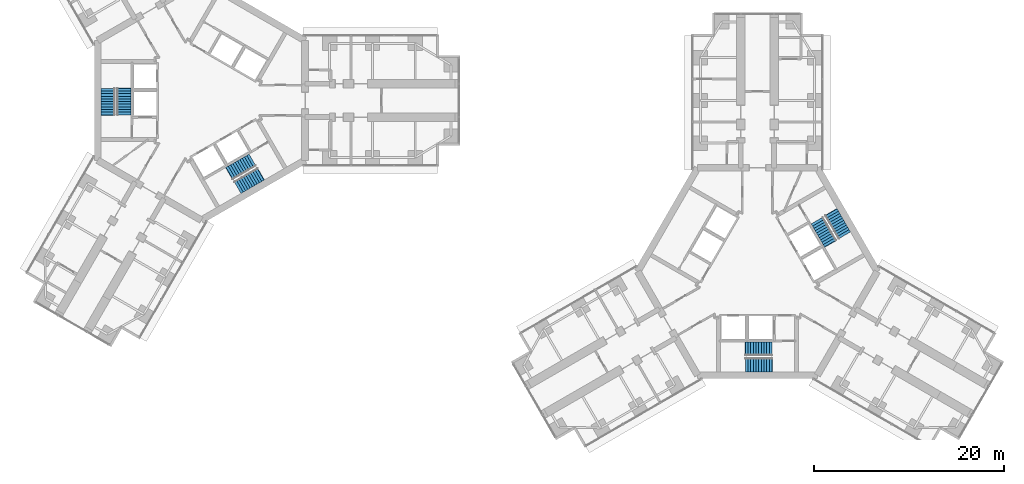
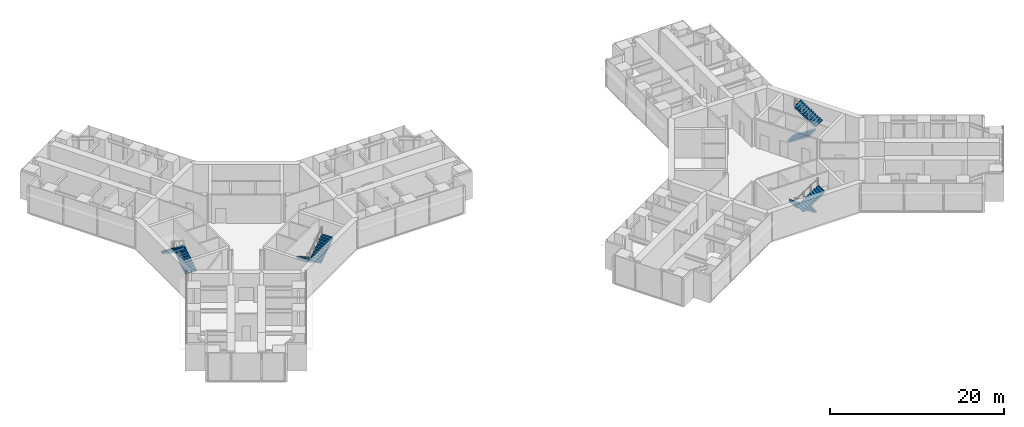
# One storey, part 22 of 23: 8 stair flights, 4 elements without a shape of their own.
"""IFC4 building model written with IfcOpenShell, lengths in metres."""

from ifc_helpers import new_model, si_unit, direction, frame, origin, place, context, subcontext, project, spatial, polyline, outline, extrude, material, type_object, element, aggregate, save


model = new_model("IFC4")

# Units and contexts
model_context = context("Model", 3, precision=1e-05, world=origin(), true_north=direction((0.0, 1.0)))
body_context = subcontext(model_context, "Body", "Model", "MODEL_VIEW")
ifc_project = project(units=[si_unit("LENGTHUNIT", "METRE"), si_unit("AREAUNIT", "SQUARE_METRE"), si_unit("VOLUMEUNIT", "CUBIC_METRE"), si_unit("PLANEANGLEUNIT", "RADIAN"), si_unit("MASSUNIT", "GRAM", prefix="KILO")], contexts=[model_context])

# Site, building, storey
site_placement = place(None, origin())
site = spatial("IfcSite", under=ifc_project, at=site_placement, CompositionType="ELEMENT")
building_placement = place(site_placement, origin())
building = spatial("IfcBuilding", under=site, at=building_placement, Name="Upepo Twin Towers", CompositionType="ELEMENT")
storey_placement = place(building_placement, frame((0.0, 0.0, 24.5)))
storey = spatial("IfcBuildingStorey", under=building, at=storey_placement, Name="L05", CompositionType="ELEMENT", Elevation=24.5)

# Stair, stair flights
ifc_material_1 = material(Name="Concrete C40/50", Category="concrete")
stair_type = type_object("IfcStairType", Name="Core stair, two flights", PredefinedType="HALF_TURN_STAIR", material=ifc_material_1)
stair_1_placement = place(storey_placement, origin())
stair_1 = element("IfcStair", 1, at=stair_1_placement, inside=storey, type_object=stair_type, Name="T1 stair S1 L05", PredefinedType="HALF_TURN_STAIR")
ifc_material_2 = material(Name="Concrete C40/50", Category="concrete")
stair_flight_type = type_object("IfcStairFlightType", Name="Stair flight 1450 RC", PredefinedType="STRAIGHT", material=ifc_material_2)
stair_flight_1_placement = place(storey_placement, frame((-8.125, -1.52001953125, 0.0), z_axis=(0.0, 0.0, 1.0), x_axis=(0.0, 1.0, 0.0)))
stair_flight_1 = element("IfcStairFlight", 2, at=stair_flight_1_placement, type_object=stair_flight_type, Name="Stair S1 flight 1", NumberOfRisers=11, NumberOfTreads=10, PredefinedType="STRAIGHT", RiserHeight=0.181818182, TreadLength=0.28, context=body_context, shape_type="SweptSolid", body=[
    extrude(outline(polyline([(0.0, 0.0), (0.0, 0.181884765625), (0.280029296875, 0.181884765625), (0.280029296875, 0.363525390625), (0.56005859375, 0.363525390625), (0.56005859375, 0.54541015625), (0.840087890625, 0.54541015625), (0.840087890625, 0.727294921875), (1.1201171875, 0.727294921875), (1.1201171875, 0.9091796875), (1.39990234375, 0.9091796875), (1.39990234375, 1.0908203125), (1.679931640625, 1.0908203125), (1.679931640625, 1.272705078125), (1.9599609375, 1.272705078125), (1.9599609375, 1.45458984375), (2.239990234375, 1.45458984375), (2.239990234375, 1.636474609375), (2.52001953125, 1.636474609375), (2.52001953125, 1.818115234375), (2.800048828125, 1.818115234375), (2.800048828125, 2.0), (2.85009765625, 2.0), (2.85009765625, 1.639404296875), (0.3251953125, 0.0), (0.0, 0.0)])), frame((0.0, 0.72509765625, 0.0), z_axis=(0.0, -1.0, 0.0), x_axis=(1.0, 0.0, 0.0)), (0.0, 0.0, 1.0), 1.449951171875),
])
stair_flight_2_placement = place(storey_placement, frame((-9.833251953125, 1.280029296875, 2.0), z_axis=(0.0, 0.0, 1.0), x_axis=(0.0, -1.0, 0.0)))
stair_flight_2 = element("IfcStairFlight", 3, at=stair_flight_2_placement, type_object=stair_flight_type, Name="Stair S1 flight 2", NumberOfRisers=11, NumberOfTreads=10, PredefinedType="STRAIGHT", RiserHeight=0.181818182, TreadLength=0.28, context=body_context, shape_type="SweptSolid", body=[
    extrude(outline(polyline([(0.0, 0.0), (0.0, 0.181884765625), (0.280029296875, 0.181884765625), (0.280029296875, 0.363525390625), (0.56005859375, 0.363525390625), (0.56005859375, 0.54541015625), (0.840087890625, 0.54541015625), (0.840087890625, 0.727294921875), (1.1201171875, 0.727294921875), (1.1201171875, 0.9091796875), (1.39990234375, 0.9091796875), (1.39990234375, 1.0908203125), (1.679931640625, 1.0908203125), (1.679931640625, 1.272705078125), (1.9599609375, 1.272705078125), (1.9599609375, 1.45458984375), (2.239990234375, 1.45458984375), (2.239990234375, 1.636474609375), (2.52001953125, 1.636474609375), (2.52001953125, 1.818115234375), (2.800048828125, 1.818115234375), (2.800048828125, 2.0), (2.85009765625, 2.0), (2.85009765625, 1.639404296875), (0.3251953125, 0.0), (0.0, 0.0)])), frame((0.0, 0.72509765625, 0.0), z_axis=(0.0, -1.0, 0.0), x_axis=(1.0, 0.0, 0.0)), (0.0, 0.0, 1.0), 1.449951171875),
])
aggregate(stair_1, [stair_flight_1, stair_flight_2])

stair_2_placement = place(storey_placement, origin())
stair_2 = element("IfcStair", 4, at=stair_2_placement, inside=storey, type_object=stair_type, Name="T1 stair S2 L05", PredefinedType="HALF_TURN_STAIR")
stair_flight_3_placement = place(storey_placement, frame((5.37890625, -6.2763671875, 0.0), z_axis=(0.0, 0.0, 1.0), x_axis=(-0.866025403784, -0.5, 0.0)))
stair_flight_3 = element("IfcStairFlight", 5, at=stair_flight_3_placement, type_object=stair_flight_type, Name="Stair S2 flight 1", NumberOfRisers=11, NumberOfTreads=10, PredefinedType="STRAIGHT", RiserHeight=0.181818182, TreadLength=0.28, context=body_context, shape_type="SweptSolid", body=[
    extrude(outline(polyline([(0.0, 0.0), (0.0, 0.181884765625), (0.280029296875, 0.181884765625), (0.280029296875, 0.363525390625), (0.56005859375, 0.363525390625), (0.56005859375, 0.54541015625), (0.840087890625, 0.54541015625), (0.840087890625, 0.727294921875), (1.1201171875, 0.727294921875), (1.1201171875, 0.9091796875), (1.39990234375, 0.9091796875), (1.39990234375, 1.0908203125), (1.679931640625, 1.0908203125), (1.679931640625, 1.272705078125), (1.9599609375, 1.272705078125), (1.9599609375, 1.45458984375), (2.239990234375, 1.45458984375), (2.239990234375, 1.636474609375), (2.52001953125, 1.636474609375), (2.52001953125, 1.818115234375), (2.800048828125, 1.818115234375), (2.800048828125, 2.0), (2.85009765625, 2.0), (2.85009765625, 1.639404296875), (0.3251953125, 0.0), (0.0, 0.0)])), frame((0.0, 0.72509765625, 0.0), z_axis=(0.0, -1.0, 0.0), x_axis=(1.0, 0.0, 0.0)), (0.0, 0.0, 1.0), 1.449951171875),
])
stair_flight_4_placement = place(storey_placement, frame((3.80810546875, -9.156005859375, 2.0), z_axis=(0.0, 0.0, 1.0), x_axis=(0.866025403784, 0.5, 0.0)))
stair_flight_4 = element("IfcStairFlight", 6, at=stair_flight_4_placement, type_object=stair_flight_type, Name="Stair S2 flight 2", NumberOfRisers=11, NumberOfTreads=10, PredefinedType="STRAIGHT", RiserHeight=0.181818182, TreadLength=0.28, context=body_context, shape_type="SweptSolid", body=[
    extrude(outline(polyline([(0.0, 0.0), (0.0, 0.181884765625), (0.280029296875, 0.181884765625), (0.280029296875, 0.363525390625), (0.56005859375, 0.363525390625), (0.56005859375, 0.54541015625), (0.840087890625, 0.54541015625), (0.840087890625, 0.727294921875), (1.1201171875, 0.727294921875), (1.1201171875, 0.9091796875), (1.39990234375, 0.9091796875), (1.39990234375, 1.0908203125), (1.679931640625, 1.0908203125), (1.679931640625, 1.272705078125), (1.9599609375, 1.272705078125), (1.9599609375, 1.45458984375), (2.239990234375, 1.45458984375), (2.239990234375, 1.636474609375), (2.52001953125, 1.636474609375), (2.52001953125, 1.818115234375), (2.800048828125, 1.818115234375), (2.800048828125, 2.0), (2.85009765625, 2.0), (2.85009765625, 1.639404296875), (0.3251953125, 0.0), (0.0, 0.0)])), frame((0.0, 0.72509765625, 0.0), z_axis=(0.0, -1.0, 0.0), x_axis=(1.0, 0.0, 0.0)), (0.0, 0.0, 1.0), 1.449951171875),
])
aggregate(stair_2, [stair_flight_3, stair_flight_4])

stair_3_placement = place(storey_placement, origin())
stair_3 = element("IfcStair", 7, at=stair_3_placement, inside=storey, type_object=stair_type, Name="T2 stair S1 L05", PredefinedType="HALF_TURN_STAIR")
stair_flight_5_placement = place(storey_placement, frame((60.02001953125, -26.125, 0.0), z_axis=(0.0, 0.0, 1.0), x_axis=(-1.0, 0.0, 0.0)))
stair_flight_5 = element("IfcStairFlight", 8, at=stair_flight_5_placement, type_object=stair_flight_type, Name="Stair S1 flight 1", NumberOfRisers=11, NumberOfTreads=10, PredefinedType="STRAIGHT", RiserHeight=0.181818182, TreadLength=0.28, context=body_context, shape_type="SweptSolid", body=[
    extrude(outline(polyline([(0.0, 0.0), (0.0, 0.181884765625), (0.280029296875, 0.181884765625), (0.280029296875, 0.363525390625), (0.56005859375, 0.363525390625), (0.56005859375, 0.54541015625), (0.840087890625, 0.54541015625), (0.840087890625, 0.727294921875), (1.1201171875, 0.727294921875), (1.1201171875, 0.9091796875), (1.39990234375, 0.9091796875), (1.39990234375, 1.0908203125), (1.679931640625, 1.0908203125), (1.679931640625, 1.272705078125), (1.9599609375, 1.272705078125), (1.9599609375, 1.45458984375), (2.239990234375, 1.45458984375), (2.239990234375, 1.636474609375), (2.52001953125, 1.636474609375), (2.52001953125, 1.818115234375), (2.800048828125, 1.818115234375), (2.800048828125, 2.0), (2.85009765625, 2.0), (2.85009765625, 1.639404296875), (0.3251953125, 0.0), (0.0, 0.0)])), frame((0.0, 0.72509765625, 0.0), z_axis=(0.0, -1.0, 0.0), x_axis=(1.0, 0.0, 0.0)), (0.0, 0.0, 1.0), 1.449951171875),
])
stair_flight_6_placement = place(storey_placement, frame((57.219970703125, -27.833251953125, 2.0), z_axis=(0.0, 0.0, 1.0), x_axis=(1.0, 0.0, 0.0)))
stair_flight_6 = element("IfcStairFlight", 9, at=stair_flight_6_placement, type_object=stair_flight_type, Name="Stair S1 flight 2", NumberOfRisers=11, NumberOfTreads=10, PredefinedType="STRAIGHT", RiserHeight=0.181818182, TreadLength=0.28, context=body_context, shape_type="SweptSolid", body=[
    extrude(outline(polyline([(0.0, 0.0), (0.0, 0.181884765625), (0.280029296875, 0.181884765625), (0.280029296875, 0.363525390625), (0.56005859375, 0.363525390625), (0.56005859375, 0.54541015625), (0.840087890625, 0.54541015625), (0.840087890625, 0.727294921875), (1.1201171875, 0.727294921875), (1.1201171875, 0.9091796875), (1.39990234375, 0.9091796875), (1.39990234375, 1.0908203125), (1.679931640625, 1.0908203125), (1.679931640625, 1.272705078125), (1.9599609375, 1.272705078125), (1.9599609375, 1.45458984375), (2.239990234375, 1.45458984375), (2.239990234375, 1.636474609375), (2.52001953125, 1.636474609375), (2.52001953125, 1.818115234375), (2.800048828125, 1.818115234375), (2.800048828125, 2.0), (2.85009765625, 2.0), (2.85009765625, 1.639404296875), (0.3251953125, 0.0), (0.0, 0.0)])), frame((0.0, 0.72509765625, 0.0), z_axis=(0.0, -1.0, 0.0), x_axis=(1.0, 0.0, 0.0)), (0.0, 0.0, 1.0), 1.449951171875),
])
aggregate(stair_3, [stair_flight_5, stair_flight_6])

stair_4_placement = place(storey_placement, origin())
stair_4 = element("IfcStair", 10, at=stair_4_placement, inside=storey, type_object=stair_type, Name="T2 stair S2 L05", PredefinedType="HALF_TURN_STAIR")
stair_flight_7_placement = place(storey_placement, frame((64.7763671875, -12.62109375, 0.0), z_axis=(0.0, 0.0, 1.0), x_axis=(0.5, -0.866025403784, 0.0)))
stair_flight_7 = element("IfcStairFlight", 11, at=stair_flight_7_placement, type_object=stair_flight_type, Name="Stair S2 flight 1", NumberOfRisers=11, NumberOfTreads=10, PredefinedType="STRAIGHT", RiserHeight=0.181818182, TreadLength=0.28, context=body_context, shape_type="SweptSolid", body=[
    extrude(outline(polyline([(0.0, 0.0), (0.0, 0.181884765625), (0.280029296875, 0.181884765625), (0.280029296875, 0.363525390625), (0.56005859375, 0.363525390625), (0.56005859375, 0.54541015625), (0.840087890625, 0.54541015625), (0.840087890625, 0.727294921875), (1.1201171875, 0.727294921875), (1.1201171875, 0.9091796875), (1.39990234375, 0.9091796875), (1.39990234375, 1.0908203125), (1.679931640625, 1.0908203125), (1.679931640625, 1.272705078125), (1.9599609375, 1.272705078125), (1.9599609375, 1.45458984375), (2.239990234375, 1.45458984375), (2.239990234375, 1.636474609375), (2.52001953125, 1.636474609375), (2.52001953125, 1.818115234375), (2.800048828125, 1.818115234375), (2.800048828125, 2.0), (2.85009765625, 2.0), (2.85009765625, 1.639404296875), (0.3251953125, 0.0), (0.0, 0.0)])), frame((0.0, 0.72509765625, 0.0), z_axis=(0.0, -1.0, 0.0), x_axis=(1.0, 0.0, 0.0)), (0.0, 0.0, 1.0), 1.449951171875),
])
stair_flight_8_placement = place(storey_placement, frame((67.656005859375, -14.19189453125, 2.0), z_axis=(0.0, 0.0, 1.0), x_axis=(-0.5, 0.866025403784, 0.0)))
stair_flight_8 = element("IfcStairFlight", 12, at=stair_flight_8_placement, type_object=stair_flight_type, Name="Stair S2 flight 2", NumberOfRisers=11, NumberOfTreads=10, PredefinedType="STRAIGHT", RiserHeight=0.181818182, TreadLength=0.28, context=body_context, shape_type="SweptSolid", body=[
    extrude(outline(polyline([(0.0, 0.0), (0.0, 0.181884765625), (0.280029296875, 0.181884765625), (0.280029296875, 0.363525390625), (0.56005859375, 0.363525390625), (0.56005859375, 0.54541015625), (0.840087890625, 0.54541015625), (0.840087890625, 0.727294921875), (1.1201171875, 0.727294921875), (1.1201171875, 0.9091796875), (1.39990234375, 0.9091796875), (1.39990234375, 1.0908203125), (1.679931640625, 1.0908203125), (1.679931640625, 1.272705078125), (1.9599609375, 1.272705078125), (1.9599609375, 1.45458984375), (2.239990234375, 1.45458984375), (2.239990234375, 1.636474609375), (2.52001953125, 1.636474609375), (2.52001953125, 1.818115234375), (2.800048828125, 1.818115234375), (2.800048828125, 2.0), (2.85009765625, 2.0), (2.85009765625, 1.639404296875), (0.3251953125, 0.0), (0.0, 0.0)])), frame((0.0, 0.72509765625, 0.0), z_axis=(0.0, -1.0, 0.0), x_axis=(1.0, 0.0, 0.0)), (0.0, 0.0, 1.0), 1.449951171875),
])
aggregate(stair_4, [stair_flight_7, stair_flight_8])

save(model, "model.ifc")
